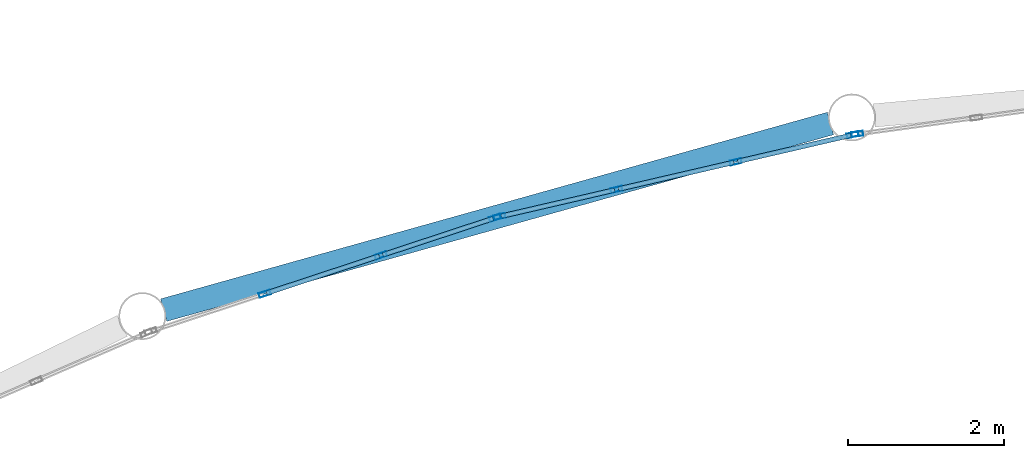
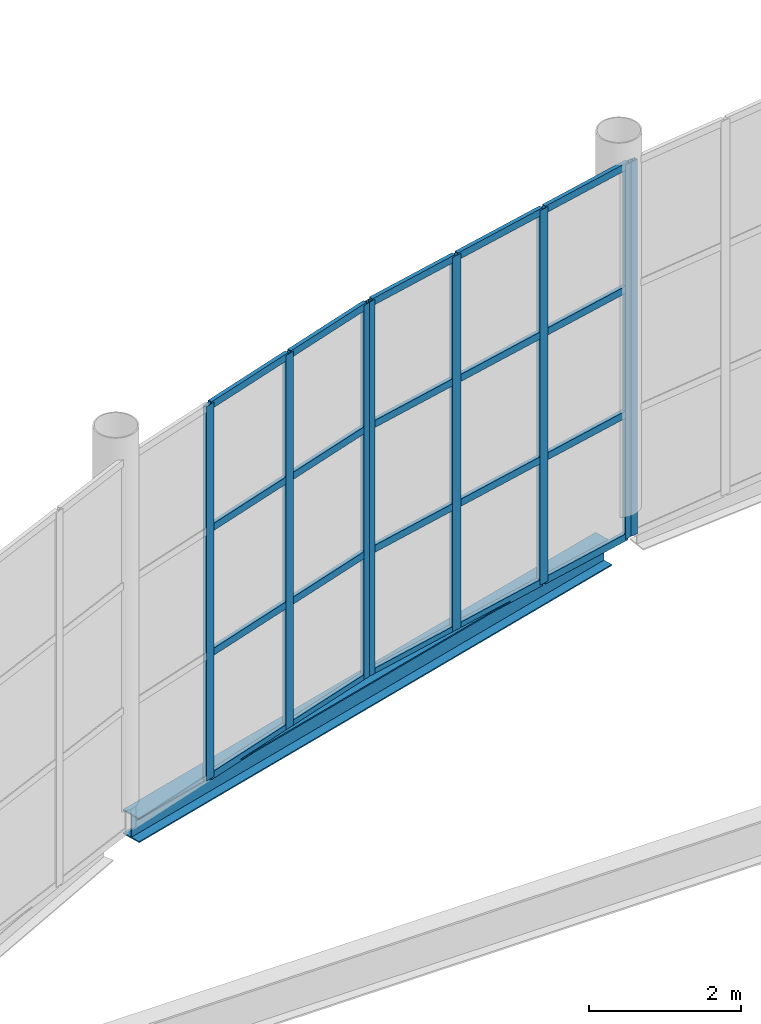
# One storey, part 117 of 191: 28 members, 1 beam, 3 elements without a shape of their own.
"""IFC4 building model written with IfcOpenShell, lengths in metres."""

from ifc_helpers import new_model, si_unit, direction, frame, origin, origin_2d, place, context, subcontext, project, spatial, hollow_rectangle, i_section, extrude, material, layer, layer_set, material_profile, profile_set, type_object, element, aggregate, save


model = new_model("IFC4")

# Units and contexts
model_context = context("Model", 3, precision=1e-05, world=origin(), true_north=direction((0.0, 1.0)))
body_context = subcontext(model_context, "Body", "Model", "MODEL_VIEW")
ifc_project = project(units=[si_unit("LENGTHUNIT", "METRE"), si_unit("AREAUNIT", "SQUARE_METRE"), si_unit("VOLUMEUNIT", "CUBIC_METRE"), si_unit("PLANEANGLEUNIT", "RADIAN"), si_unit("MASSUNIT", "GRAM", prefix="KILO")], contexts=[model_context])

# Site, building, storey
site_placement = place(None, origin())
site = spatial("IfcSite", under=ifc_project, at=site_placement, CompositionType="ELEMENT")
building_placement = place(site_placement, origin())
building = spatial("IfcBuilding", under=site, at=building_placement, Name="Tamarisk Ironworks Central Station", CompositionType="ELEMENT")
storey_placement = place(building_placement, frame((0.0, 0.0, 6.60009765625)))
storey = spatial("IfcBuildingStorey", under=building, at=storey_placement, Name="L01", CompositionType="ELEMENT", Elevation=6.60009765625)

# Beam
ifc_material_1 = material(Name="Structural steel S355J2", Category="steel")
ifc_material_profile_1 = material_profile(ifc_material_1, i_section(OverallWidth=0.300048828125, OverallDepth=0.389892578125, WebThickness=0.010986328125, FlangeThickness=0.01904296875, at=origin_2d()), Name="HEA 400")
ifc_profile_set_1 = profile_set([ifc_material_profile_1], Name="Structural steel S355J2")
beam_type = type_object("IfcBeamType", Name="BM-G07", PredefinedType="BEAM", material=ifc_profile_set_1)
beam_placement = place(storey_placement, frame((62.76318359375, 115.829345703125, -0.5751953125), z_axis=(0.962975154525, 0.269590155174, 0.0), x_axis=(-0.269590155174, 0.962975154525, 0.0)))
element("IfcBeam", 1, at=beam_placement, inside=storey, type_object=beam_type, Name="NN rounded nose L01 chord girder 027", PredefinedType="BEAM", context=body_context, shape_type="SweptSolid", body=[
    extrude(i_section(OverallWidth=0.300048828125, OverallDepth=0.389892578125, WebThickness=0.010986328125, FlangeThickness=0.01904296875, at=origin_2d()), origin(), (0.0, 0.0, 1.0), 8.88037109375),
])

# Curtain wall, members
ifc_material_2 = material(Name="Anodized aluminium alloy 6063-T6", Category="aluminium")
ifc_layer = layer(ifc_material_2, 0.179931640625)
ifc_layer_set = layer_set([ifc_layer], Name="Anodized aluminium alloy 6063-T6")
curtain_wall_type = type_object("IfcCurtainWallType", Name="CW-02", PredefinedType="USERDEFINED", material=ifc_layer_set)
curtain_wall_1_placement = place(storey_placement, origin())
curtain_wall_1 = element("IfcCurtainWall", 2, at=curtain_wall_1_placement, inside=storey, type_object=curtain_wall_type, Name="NN rounded entrance hall L01 curtain wall bay 03", ObjectType="GLAZED CURTAIN WALL", PredefinedType="USERDEFINED")
ifc_material_profile_2 = material_profile(ifc_material_2, hollow_rectangle(XDim=0.06005859375, YDim=0.14990234375, WallThickness=0.00341796875, at=origin_2d()), Name="ALUM 150x60")
ifc_profile_set_2 = profile_set([ifc_material_profile_2], Name="Anodized aluminium alloy 6063-T6")
member_type_1 = type_object("IfcMemberType", Name="CWM-03", PredefinedType="MULLION", material=ifc_profile_set_2)
member_1_placement = place(storey_placement, frame((64.05908203125, 116.038818359375, -0.385009765625), z_axis=(0.0, 0.0, 1.0), x_axis=(-0.313098460171, 0.949720671692, 0.0)))
member_1 = element("IfcMember", 3, at=member_1_placement, type_object=member_type_1, Name="CW02 mullion 2", PredefinedType="MULLION", context=body_context, shape_type="SweptSolid", body=[
    extrude(hollow_rectangle(XDim=0.06005859375, YDim=0.14990234375, WallThickness=0.00341796875, at=origin_2d()), origin(), (0.0, 0.0, 1.0), 6.0048828125),
])
member_2_placement = place(storey_placement, frame((65.550048828125, 116.530517578125, -0.385009765625), z_axis=(0.0, 0.0, 1.0), x_axis=(-0.313098460171, 0.949720671692, 0.0)))
member_2 = element("IfcMember", 4, at=member_2_placement, type_object=member_type_1, Name="CW02 mullion 3", PredefinedType="MULLION", context=body_context, shape_type="SweptSolid", body=[
    extrude(hollow_rectangle(XDim=0.06005859375, YDim=0.14990234375, WallThickness=0.00341796875, at=origin_2d()), origin(), (0.0, 0.0, 1.0), 6.0048828125),
])
member_3_placement = place(storey_placement, frame((67.0126953125, 117.0126953125, -0.385009765625), z_axis=(0.0, 0.0, 1.0), x_axis=(-0.313098460171, 0.949720671692, 0.0)))
member_3 = element("IfcMember", 5, at=member_3_placement, type_object=member_type_1, Name="CW02 mullion 4", PredefinedType="MULLION", context=body_context, shape_type="SweptSolid", body=[
    extrude(hollow_rectangle(XDim=0.06005859375, YDim=0.14990234375, WallThickness=0.00341796875, at=origin_2d()), origin(), (0.0, 0.0, 1.0), 6.0048828125),
])

curtain_wall_2_placement = place(storey_placement, origin())
curtain_wall_2 = element("IfcCurtainWall", 6, at=curtain_wall_2_placement, inside=storey, type_object=curtain_wall_type, Name="NN rounded entrance hall L01 curtain wall bay 04", ObjectType="GLAZED CURTAIN WALL", PredefinedType="USERDEFINED")
member_4_placement = place(storey_placement, frame((67.0703125, 117.02880859375, -0.385009765625), z_axis=(0.0, 0.0, 1.0), x_axis=(-0.225516966506, 0.974239240545, 0.0)))
member_4 = element("IfcMember", 7, at=member_4_placement, type_object=member_type_1, Name="CW02 mullion 1", PredefinedType="MULLION", context=body_context, shape_type="SweptSolid", body=[
    extrude(hollow_rectangle(XDim=0.06005859375, YDim=0.14990234375, WallThickness=0.00341796875, at=origin_2d()), origin(), (0.0, 0.0, 1.0), 6.0048828125),
])
member_5_placement = place(storey_placement, frame((68.570556640625, 117.3759765625, -0.385009765625), z_axis=(0.0, 0.0, 1.0), x_axis=(-0.225516966506, 0.974239240545, 0.0)))
member_5 = element("IfcMember", 8, at=member_5_placement, type_object=member_type_1, Name="CW02 mullion 2", PredefinedType="MULLION", context=body_context, shape_type="SweptSolid", body=[
    extrude(hollow_rectangle(XDim=0.06005859375, YDim=0.14990234375, WallThickness=0.00341796875, at=origin_2d()), origin(), (0.0, 0.0, 1.0), 6.0048828125),
])
member_6_placement = place(storey_placement, frame((70.099853515625, 117.72998046875, -0.385009765625), z_axis=(0.0, 0.0, 1.0), x_axis=(-0.225516966506, 0.974239240545, 0.0)))
member_6 = element("IfcMember", 9, at=member_6_placement, type_object=member_type_1, Name="CW02 mullion 3", PredefinedType="MULLION", context=body_context, shape_type="SweptSolid", body=[
    extrude(hollow_rectangle(XDim=0.06005859375, YDim=0.14990234375, WallThickness=0.00341796875, at=origin_2d()), origin(), (0.0, 0.0, 1.0), 6.0048828125),
])
member_7_placement = place(storey_placement, frame((71.60009765625, 118.077392578125, -0.385009765625), z_axis=(0.0, 0.0, 1.0), x_axis=(-0.225516966506, 0.974239240545, 0.0)))
member_7 = element("IfcMember", 10, at=member_7_placement, type_object=member_type_1, Name="CW02 mullion 4", PredefinedType="MULLION", context=body_context, shape_type="SweptSolid", body=[
    extrude(hollow_rectangle(XDim=0.06005859375, YDim=0.14990234375, WallThickness=0.00341796875, at=origin_2d()), origin(), (0.0, 0.0, 1.0), 6.0048828125),
])

# Curtain wall, member
curtain_wall_3_placement = place(storey_placement, origin())
curtain_wall_3 = element("IfcCurtainWall", 11, at=curtain_wall_3_placement, inside=storey, type_object=curtain_wall_type, Name="NN rounded entrance hall L01 curtain wall bay 05", ObjectType="GLAZED CURTAIN WALL", PredefinedType="USERDEFINED")
member_8_placement = place(storey_placement, frame((71.6591796875, 118.088134765625, -0.385009765625), z_axis=(0.0, 0.0, 1.0), x_axis=(-0.136041725218, 0.990703108403, 0.0)))
member_8 = element("IfcMember", 12, at=member_8_placement, type_object=member_type_1, Name="CW02 mullion 1", PredefinedType="MULLION", context=body_context, shape_type="SweptSolid", body=[
    extrude(hollow_rectangle(XDim=0.06005859375, YDim=0.14990234375, WallThickness=0.00341796875, at=origin_2d()), origin(), (0.0, 0.0, 1.0), 6.0048828125),
])
aggregate(curtain_wall_3, [member_8])

# Member
ifc_material_profile_3 = material_profile(ifc_material_2, hollow_rectangle(XDim=0.06005859375, YDim=0.114990234375, WallThickness=0.00341796875, at=origin_2d()), Name="ALUM 115x60")
ifc_profile_set_3 = profile_set([ifc_material_profile_3], Name="Anodized aluminium alloy 6063-T6")
member_type_2 = type_object("IfcMemberType", Name="CWT-03", PredefinedType="USERDEFINED", material=ifc_profile_set_3)
member_9_placement = place(storey_placement, frame((64.083740234375, 116.047119140625, -0.35498046875), z_axis=(0.949755412213, 0.312993062179, 0.0), x_axis=(-0.312993062179, 0.949755412213, 0.0)))
member_9 = element("IfcMember", 13, at=member_9_placement, type_object=member_type_2, Name="CW02 transom 2.1", ObjectType="TRANSOM", PredefinedType="USERDEFINED", context=body_context, shape_type="SweptSolid", body=[
    extrude(hollow_rectangle(XDim=0.06005859375, YDim=0.114990234375, WallThickness=0.00341796875, at=origin_2d()), origin(), (0.0, 0.0, 1.0), 1.517822265625),
])

member_10_placement = place(storey_placement, frame((64.083740234375, 116.047119140625, 1.61669921875), z_axis=(0.949755412213, 0.312993062179, 0.0), x_axis=(-0.312993062179, 0.949755412213, 0.0)))
member_10 = element("IfcMember", 14, at=member_10_placement, type_object=member_type_2, Name="CW02 transom 2.2", ObjectType="TRANSOM", PredefinedType="USERDEFINED", context=body_context, shape_type="SweptSolid", body=[
    extrude(hollow_rectangle(XDim=0.06005859375, YDim=0.114990234375, WallThickness=0.00341796875, at=origin_2d()), origin(), (0.0, 0.0, 1.0), 1.517822265625),
])

member_11_placement = place(storey_placement, frame((64.083740234375, 116.047119140625, 3.6181640625), z_axis=(0.949755412213, 0.312993062179, 0.0), x_axis=(-0.312993062179, 0.949755412213, 0.0)))
member_11 = element("IfcMember", 15, at=member_11_placement, type_object=member_type_2, Name="CW02 transom 2.3", ObjectType="TRANSOM", PredefinedType="USERDEFINED", context=body_context, shape_type="SweptSolid", body=[
    extrude(hollow_rectangle(XDim=0.06005859375, YDim=0.114990234375, WallThickness=0.00341796875, at=origin_2d()), origin(), (0.0, 0.0, 1.0), 1.517822265625),
])

member_12_placement = place(storey_placement, frame((64.083740234375, 116.047119140625, 5.58984375), z_axis=(0.949755412213, 0.312993062179, 0.0), x_axis=(-0.312993062179, 0.949755412213, 0.0)))
member_12 = element("IfcMember", 16, at=member_12_placement, type_object=member_type_2, Name="CW02 transom 2.4", ObjectType="TRANSOM", PredefinedType="USERDEFINED", context=body_context, shape_type="SweptSolid", body=[
    extrude(hollow_rectangle(XDim=0.06005859375, YDim=0.114990234375, WallThickness=0.00341796875, at=origin_2d()), origin(), (0.0, 0.0, 1.0), 1.517822265625),
])

member_13_placement = place(storey_placement, frame((65.57470703125, 116.53857421875, -0.35498046875), z_axis=(0.949744294942, 0.31302679474, 0.0), x_axis=(-0.31302679474, 0.949744294942, 0.0)))
member_13 = element("IfcMember", 17, at=member_13_placement, type_object=member_type_2, Name="CW02 transom 3.1", ObjectType="TRANSOM", PredefinedType="USERDEFINED", context=body_context, shape_type="SweptSolid", body=[
    extrude(hollow_rectangle(XDim=0.06005859375, YDim=0.114990234375, WallThickness=0.00341796875, at=origin_2d()), origin(), (0.0, 0.0, 1.0), 1.488037109375),
])

member_14_placement = place(storey_placement, frame((65.57470703125, 116.53857421875, 1.61669921875), z_axis=(0.949744294942, 0.31302679474, 0.0), x_axis=(-0.31302679474, 0.949744294942, 0.0)))
member_14 = element("IfcMember", 18, at=member_14_placement, type_object=member_type_2, Name="CW02 transom 3.2", ObjectType="TRANSOM", PredefinedType="USERDEFINED", context=body_context, shape_type="SweptSolid", body=[
    extrude(hollow_rectangle(XDim=0.06005859375, YDim=0.114990234375, WallThickness=0.00341796875, at=origin_2d()), origin(), (0.0, 0.0, 1.0), 1.488037109375),
])

member_15_placement = place(storey_placement, frame((65.57470703125, 116.53857421875, 3.6181640625), z_axis=(0.949744294942, 0.31302679474, 0.0), x_axis=(-0.31302679474, 0.949744294942, 0.0)))
member_15 = element("IfcMember", 19, at=member_15_placement, type_object=member_type_2, Name="CW02 transom 3.3", ObjectType="TRANSOM", PredefinedType="USERDEFINED", context=body_context, shape_type="SweptSolid", body=[
    extrude(hollow_rectangle(XDim=0.06005859375, YDim=0.114990234375, WallThickness=0.00341796875, at=origin_2d()), origin(), (0.0, 0.0, 1.0), 1.488037109375),
])

member_16_placement = place(storey_placement, frame((65.57470703125, 116.53857421875, 5.58984375), z_axis=(0.949744294942, 0.31302679474, 0.0), x_axis=(-0.31302679474, 0.949744294942, 0.0)))
member_16 = element("IfcMember", 20, at=member_16_placement, type_object=member_type_2, Name="CW02 transom 3.4", ObjectType="TRANSOM", PredefinedType="USERDEFINED", context=body_context, shape_type="SweptSolid", body=[
    extrude(hollow_rectangle(XDim=0.06005859375, YDim=0.114990234375, WallThickness=0.00341796875, at=origin_2d()), origin(), (0.0, 0.0, 1.0), 1.488037109375),
])

aggregate(curtain_wall_1, [member_1, member_2, member_3, member_9, member_10, member_11, member_12, member_13, member_14, member_15, member_16])

member_17_placement = place(storey_placement, frame((67.095703125, 117.03466796875, -0.35498046875), z_axis=(0.974249953444, 0.225470681494, 0.0), x_axis=(-0.225470681494, 0.974249953444, 0.0)))
member_17 = element("IfcMember", 21, at=member_17_placement, type_object=member_type_2, Name="CW02 transom 1.1", ObjectType="TRANSOM", PredefinedType="USERDEFINED", context=body_context, shape_type="SweptSolid", body=[
    extrude(hollow_rectangle(XDim=0.06005859375, YDim=0.114990234375, WallThickness=0.00341796875, at=origin_2d()), origin(), (0.0, 0.0, 1.0), 1.48779296875),
])

member_18_placement = place(storey_placement, frame((67.095703125, 117.03466796875, 1.61669921875), z_axis=(0.974249953444, 0.225470681494, 0.0), x_axis=(-0.225470681494, 0.974249953444, 0.0)))
member_18 = element("IfcMember", 22, at=member_18_placement, type_object=member_type_2, Name="CW02 transom 1.2", ObjectType="TRANSOM", PredefinedType="USERDEFINED", context=body_context, shape_type="SweptSolid", body=[
    extrude(hollow_rectangle(XDim=0.06005859375, YDim=0.114990234375, WallThickness=0.00341796875, at=origin_2d()), origin(), (0.0, 0.0, 1.0), 1.48779296875),
])

member_19_placement = place(storey_placement, frame((67.095703125, 117.03466796875, 3.6181640625), z_axis=(0.974249953444, 0.225470681494, 0.0), x_axis=(-0.225470681494, 0.974249953444, 0.0)))
member_19 = element("IfcMember", 23, at=member_19_placement, type_object=member_type_2, Name="CW02 transom 1.3", ObjectType="TRANSOM", PredefinedType="USERDEFINED", context=body_context, shape_type="SweptSolid", body=[
    extrude(hollow_rectangle(XDim=0.06005859375, YDim=0.114990234375, WallThickness=0.00341796875, at=origin_2d()), origin(), (0.0, 0.0, 1.0), 1.48779296875),
])

member_20_placement = place(storey_placement, frame((67.095703125, 117.03466796875, 5.58984375), z_axis=(0.974249953444, 0.225470681494, 0.0), x_axis=(-0.225470681494, 0.974249953444, 0.0)))
member_20 = element("IfcMember", 24, at=member_20_placement, type_object=member_type_2, Name="CW02 transom 1.4", ObjectType="TRANSOM", PredefinedType="USERDEFINED", context=body_context, shape_type="SweptSolid", body=[
    extrude(hollow_rectangle(XDim=0.06005859375, YDim=0.114990234375, WallThickness=0.00341796875, at=origin_2d()), origin(), (0.0, 0.0, 1.0), 1.48779296875),
])

member_21_placement = place(storey_placement, frame((68.595947265625, 117.3818359375, -0.35498046875), z_axis=(0.974241883029, 0.225505550604, 0.0), x_axis=(-0.225505550604, 0.974241883029, 0.0)))
member_21 = element("IfcMember", 25, at=member_21_placement, type_object=member_type_2, Name="CW02 transom 2.1", ObjectType="TRANSOM", PredefinedType="USERDEFINED", context=body_context, shape_type="SweptSolid", body=[
    extrude(hollow_rectangle(XDim=0.06005859375, YDim=0.114990234375, WallThickness=0.00341796875, at=origin_2d()), origin(), (0.0, 0.0, 1.0), 1.517822265625),
])

member_22_placement = place(storey_placement, frame((68.595947265625, 117.3818359375, 1.61669921875), z_axis=(0.974241883029, 0.225505550604, 0.0), x_axis=(-0.225505550604, 0.974241883029, 0.0)))
member_22 = element("IfcMember", 26, at=member_22_placement, type_object=member_type_2, Name="CW02 transom 2.2", ObjectType="TRANSOM", PredefinedType="USERDEFINED", context=body_context, shape_type="SweptSolid", body=[
    extrude(hollow_rectangle(XDim=0.06005859375, YDim=0.114990234375, WallThickness=0.00341796875, at=origin_2d()), origin(), (0.0, 0.0, 1.0), 1.517822265625),
])

member_23_placement = place(storey_placement, frame((68.595947265625, 117.3818359375, 3.6181640625), z_axis=(0.974241883029, 0.225505550604, 0.0), x_axis=(-0.225505550604, 0.974241883029, 0.0)))
member_23 = element("IfcMember", 27, at=member_23_placement, type_object=member_type_2, Name="CW02 transom 2.3", ObjectType="TRANSOM", PredefinedType="USERDEFINED", context=body_context, shape_type="SweptSolid", body=[
    extrude(hollow_rectangle(XDim=0.06005859375, YDim=0.114990234375, WallThickness=0.00341796875, at=origin_2d()), origin(), (0.0, 0.0, 1.0), 1.517822265625),
])

member_24_placement = place(storey_placement, frame((68.595947265625, 117.3818359375, 5.58984375), z_axis=(0.974241883029, 0.225505550604, 0.0), x_axis=(-0.225505550604, 0.974241883029, 0.0)))
member_24 = element("IfcMember", 28, at=member_24_placement, type_object=member_type_2, Name="CW02 transom 2.4", ObjectType="TRANSOM", PredefinedType="USERDEFINED", context=body_context, shape_type="SweptSolid", body=[
    extrude(hollow_rectangle(XDim=0.06005859375, YDim=0.114990234375, WallThickness=0.00341796875, at=origin_2d()), origin(), (0.0, 0.0, 1.0), 1.517822265625),
])

member_25_placement = place(storey_placement, frame((70.125244140625, 117.73583984375, -0.35498046875), z_axis=(0.974222247243, 0.225590365436, 0.0), x_axis=(-0.225590365436, 0.974222247243, 0.0)))
member_25 = element("IfcMember", 29, at=member_25_placement, type_object=member_type_2, Name="CW02 transom 3.1", ObjectType="TRANSOM", PredefinedType="USERDEFINED", context=body_context, shape_type="SweptSolid", body=[
    extrude(hollow_rectangle(XDim=0.06005859375, YDim=0.114990234375, WallThickness=0.00341796875, at=origin_2d()), origin(), (0.0, 0.0, 1.0), 1.488037109375),
])

member_26_placement = place(storey_placement, frame((70.125244140625, 117.73583984375, 1.61669921875), z_axis=(0.974222247243, 0.225590365436, 0.0), x_axis=(-0.225590365436, 0.974222247243, 0.0)))
member_26 = element("IfcMember", 30, at=member_26_placement, type_object=member_type_2, Name="CW02 transom 3.2", ObjectType="TRANSOM", PredefinedType="USERDEFINED", context=body_context, shape_type="SweptSolid", body=[
    extrude(hollow_rectangle(XDim=0.06005859375, YDim=0.114990234375, WallThickness=0.00341796875, at=origin_2d()), origin(), (0.0, 0.0, 1.0), 1.488037109375),
])

member_27_placement = place(storey_placement, frame((70.125244140625, 117.73583984375, 3.6181640625), z_axis=(0.974222247243, 0.225590365436, 0.0), x_axis=(-0.225590365436, 0.974222247243, 0.0)))
member_27 = element("IfcMember", 31, at=member_27_placement, type_object=member_type_2, Name="CW02 transom 3.3", ObjectType="TRANSOM", PredefinedType="USERDEFINED", context=body_context, shape_type="SweptSolid", body=[
    extrude(hollow_rectangle(XDim=0.06005859375, YDim=0.114990234375, WallThickness=0.00341796875, at=origin_2d()), origin(), (0.0, 0.0, 1.0), 1.488037109375),
])

member_28_placement = place(storey_placement, frame((70.125244140625, 117.73583984375, 5.58984375), z_axis=(0.974222247243, 0.225590365436, 0.0), x_axis=(-0.225590365436, 0.974222247243, 0.0)))
member_28 = element("IfcMember", 32, at=member_28_placement, type_object=member_type_2, Name="CW02 transom 3.4", ObjectType="TRANSOM", PredefinedType="USERDEFINED", context=body_context, shape_type="SweptSolid", body=[
    extrude(hollow_rectangle(XDim=0.06005859375, YDim=0.114990234375, WallThickness=0.00341796875, at=origin_2d()), origin(), (0.0, 0.0, 1.0), 1.488037109375),
])

aggregate(curtain_wall_2, [member_4, member_5, member_6, member_7, member_17, member_18, member_19, member_20, member_21, member_22, member_23, member_24, member_25, member_26, member_27, member_28])

save(model, "model.ifc")
